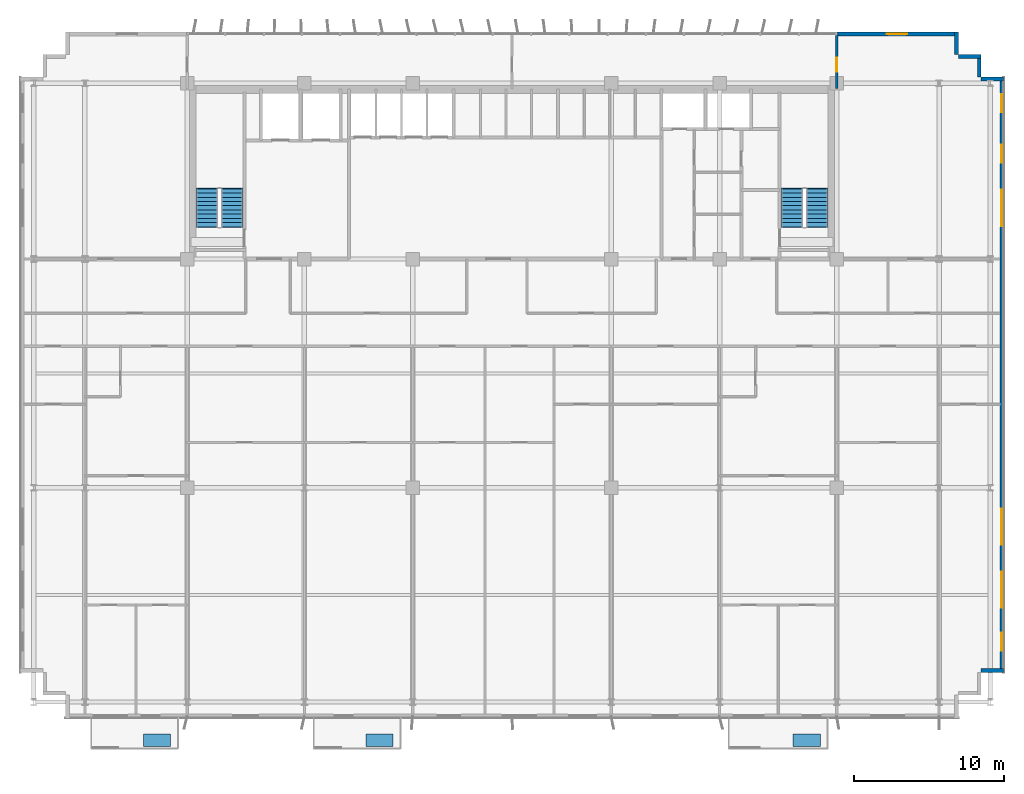
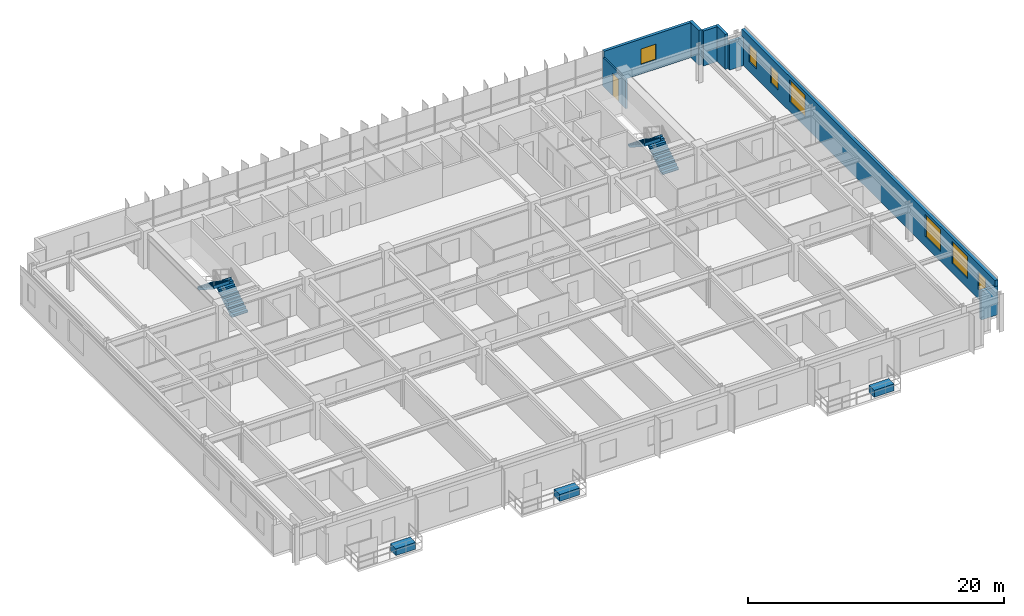
# One storey, part 19 of 22: 8 walls, 7 windows, 4 stair flights, 3 discrete accessories, 1 door, 8 openings, 2 elements without a shape of their own.
"""IFC4 building model written with IfcOpenShell, lengths in metres."""

from ifc_helpers import new_model, si_unit, direction, frame, frame_2d, origin, origin_2d, place, context, subcontext, project, spatial, polyline, rectangle, outline, extrude, source, transform, mapped, material, layer, layer_set, type_object, element, fill, aggregate, save


model = new_model("IFC4")

# Units and contexts
model_context = context("Model", 3, precision=1e-05, world=origin(), true_north=direction((0.0, 1.0)))
body_context = subcontext(model_context, "Body", "Model", "MODEL_VIEW")
ifc_project = project(units=[si_unit("LENGTHUNIT", "METRE"), si_unit("AREAUNIT", "SQUARE_METRE"), si_unit("VOLUMEUNIT", "CUBIC_METRE"), si_unit("PLANEANGLEUNIT", "RADIAN"), si_unit("MASSUNIT", "GRAM", prefix="KILO")], contexts=[model_context])

# Site, building, storey
site_placement = place(None, origin())
site = spatial("IfcSite", under=ifc_project, at=site_placement, CompositionType="ELEMENT")
building_placement = place(site_placement, origin())
building = spatial("IfcBuilding", under=site, at=building_placement, Name="Trelvane Seafront Commons", CompositionType="ELEMENT")
storey_placement = place(building_placement, frame((0.0, 0.0, 59.5)))
storey = spatial("IfcBuildingStorey", under=building, at=storey_placement, Name="L15", CompositionType="ELEMENT", Elevation=59.5)

# Wall, opening, window
ifc_material_1 = material(Name="Precast concrete C40/50", Category="concrete")
ifc_layer_1 = layer(ifc_material_1, 0.260009765625, Name="ARCH-WALL-EXT260")
ifc_layer_set_1 = layer_set([ifc_layer_1], Name="Precast concrete C40/50")
wall_type_1 = type_object("IfcWallType", Name="ARCH-WALL-EXT260", PredefinedType="SOLIDWALL", material=ifc_layer_set_1)
wall_1_placement = place(storey_placement, frame((58.800048828125, 48.3701171875, 0.0), z_axis=(0.0, 0.0, 1.0), x_axis=(1.0, 0.0, 0.0)))
wall_1 = element("IfcWall", 1, at=wall_1_placement, inside=storey, type_object=wall_type_1, Name="EW-L15-NE-0256", PredefinedType="SOLIDWALL", context=body_context, shape_type="SweptSolid", body=[
    extrude(rectangle(XDim=8.0, YDim=0.260009765625, at=frame_2d((4.0, 0.0))), origin(), (0.0, 0.0, 1.0), 3.340087890625),
])
opening_1_placement = place(wall_1_placement, frame((3.324951171875, 0.0, 0.89990234375)))
opening_1 = element("IfcOpeningElement", 2, at=opening_1_placement, cuts=wall_1, Name="Opening W09", PredefinedType="OPENING", context=body_context, shape_type="SweptSolid", body=[
    extrude(rectangle(XDim=1.35009765625, YDim=1.5, at=frame_2d((0.675048828125, 0.75))), frame((0.0, 0.139892578125, 0.0), z_axis=(0.0, -1.0, 0.0), x_axis=(1.0, 0.0, 0.0)), (0.0, 0.0, 1.0), 0.280029296875),
])
ifc_material_2 = material(Name="Low-E coastal double glazing", Category="glass")
window_type_1 = type_object("IfcWindowType", Name="ARCH-WIN-W09", PartitioningType="SINGLE_PANEL", PredefinedType="WINDOW", material=ifc_material_2)
shared_shape_1 = source(origin(), body_context, "Body", "SweptSolid", [
    extrude(rectangle(XDim=1.35009765625, YDim=1.5, at=frame_2d((0.675048828125, 0.75))), frame((0.0, 0.030029296875, 0.0), z_axis=(0.0, -1.0, 0.0), x_axis=(1.0, 0.0, 0.0)), (0.0, 0.0, 1.0), 0.06005859375),
])
window_1_placement = place(opening_1_placement, origin())
window_1 = element("IfcWindow", 3, at=window_1_placement, inside=storey, type_object=window_type_1, Name="WIN-L15-00311", OverallHeight=1.5, OverallWidth=1.35009765625, PartitioningType="SINGLE_PANEL", PredefinedType="WINDOW", context=body_context, shape_type="MappedRepresentation", body=[
    mapped(shared_shape_1, transform((0.0, 0.0, 0.0), x_axis=(1.0, 0.0, 0.0), y_axis=(0.0, 1.0, 0.0), z_axis=(0.0, 0.0, 1.0), scale=1.0)),
])
fill(opening_1, window_1)

# Walls
for number, where, z_axis, x_axis, name in (
    (4, (66.77001953125, 48.5, 0.0), (0.0, 0.0, 1.0), (0.0, -1.0, 0.0), "EW-L15-00265"),
    (5, (66.89990234375, 46.8701171875, 0.0), (0.0, 0.0, 1.0), (1.0, 0.0, 0.0), "EW-L15-00266"),
    (6, (68.27001953125, 47.0, 0.0), (0.0, 0.0, 1.0), (0.0, -1.0, 0.0), "EW-L15-00267"),
):
    element("IfcWall", number, at=place(storey_placement, frame(where, z_axis=z_axis, x_axis=x_axis)), inside=storey, type_object=wall_type_1, Name=name, PredefinedType="SOLIDWALL", context=body_context, shape_type="SweptSolid", body=[
        extrude(rectangle(XDim=1.5, YDim=0.260009765625, at=frame_2d((0.75, 0.0))), origin(), (0.0, 0.0, 1.0), 3.340087890625),
    ])
wall_2_placement = place(storey_placement, frame((68.39990234375, 45.3701171875, 0.0), z_axis=(0.0, 0.0, 1.0), x_axis=(1.0, 0.0, 0.0)))
element("IfcWall", 7, at=wall_2_placement, inside=storey, type_object=wall_type_1, Name="EW-L15-00268", PredefinedType="SOLIDWALL", context=body_context, shape_type="SweptSolid", body=[
    extrude(rectangle(XDim=1.5, YDim=0.260009765625, at=frame_2d((0.75, 0.0))), origin(), (0.0, 0.0, 1.0), 2.68994140625),
])

# Wall, openings, windows
wall_3_placement = place(storey_placement, frame((69.77001953125, 45.5, 0.0), z_axis=(0.0, 0.0, 1.0), x_axis=(0.0, -1.0, 0.0)))
wall_3 = element("IfcWall", 8, at=wall_3_placement, inside=storey, type_object=wall_type_1, Name="EW-L15-00269", PredefinedType="SOLIDWALL", context=body_context, shape_type="SweptSolid", body=[
    extrude(rectangle(XDim=39.60009765625, YDim=0.260009765625, at=frame_2d((19.800048828125, 0.0))), origin(), (0.0, 0.0, 1.0), 3.340087890625),
])
opening_2_placement = place(wall_3_placement, frame((36.949951171875, 0.0, 0.919921875)))
opening_2 = element("IfcOpeningElement", 9, at=opening_2_placement, cuts=wall_3, Name="Opening W05", PredefinedType="OPENING", context=body_context, shape_type="SweptSolid", body=[
    extrude(rectangle(XDim=1.199951171875, YDim=1.64990234375, at=frame_2d((0.60009765625, 0.824951171875))), frame((0.0, 0.139892578125, 0.0), z_axis=(0.0, -1.0, 0.0), x_axis=(1.0, 0.0, 0.0)), (0.0, 0.0, 1.0), 0.280029296875),
])
opening_3_placement = place(wall_3_placement, frame((32.89990234375, 0.0, 0.919921875)))
opening_3 = element("IfcOpeningElement", 10, at=opening_3_placement, cuts=wall_3, Name="Opening W08", PredefinedType="OPENING", context=body_context, shape_type="SweptSolid", body=[
    extrude(rectangle(XDim=2.39990234375, YDim=2.10009765625, at=frame_2d((1.199951171875, 1.050048828125))), frame((0.0, 0.139892578125, 0.0), z_axis=(0.0, -1.0, 0.0), x_axis=(1.0, 0.0, 0.0)), (0.0, 0.0, 1.0), 0.280029296875),
])
opening_4_placement = place(wall_3_placement, frame((28.699951171875, 0.0, 0.919921875)))
opening_4 = element("IfcOpeningElement", 11, at=opening_4_placement, cuts=wall_3, Name="Opening W08", PredefinedType="OPENING", context=body_context, shape_type="SweptSolid", body=[
    extrude(rectangle(XDim=2.39990234375, YDim=2.10009765625, at=frame_2d((1.199951171875, 1.050048828125))), frame((0.0, 0.139892578125, 0.0), z_axis=(0.0, -1.0, 0.0), x_axis=(1.0, 0.0, 0.0)), (0.0, 0.0, 1.0), 0.280029296875),
])
opening_5_placement = place(wall_3_placement, frame((7.5, 0.0, 0.919921875)))
opening_5 = element("IfcOpeningElement", 12, at=opening_5_placement, cuts=wall_3, Name="Opening W08", PredefinedType="OPENING", context=body_context, shape_type="SweptSolid", body=[
    extrude(rectangle(XDim=2.39990234375, YDim=2.10009765625, at=frame_2d((1.199951171875, 1.050048828125))), frame((0.0, 0.139892578125, 0.0), z_axis=(0.0, -1.0, 0.0), x_axis=(1.0, 0.0, 0.0)), (0.0, 0.0, 1.0), 0.280029296875),
])
opening_6_placement = place(wall_3_placement, frame((4.5, 0.0, 0.919921875)))
opening_6 = element("IfcOpeningElement", 13, at=opening_6_placement, cuts=wall_3, Name="Opening W05", PredefinedType="OPENING", context=body_context, shape_type="SweptSolid", body=[
    extrude(rectangle(XDim=1.199951171875, YDim=1.64990234375, at=frame_2d((0.60009765625, 0.824951171875))), frame((0.0, 0.139892578125, 0.0), z_axis=(0.0, -1.0, 0.0), x_axis=(1.0, 0.0, 0.0)), (0.0, 0.0, 1.0), 0.280029296875),
])
opening_7_placement = place(wall_3_placement, frame((1.14990234375, 0.0, 0.919921875)))
opening_7 = element("IfcOpeningElement", 14, at=opening_7_placement, cuts=wall_3, Name="Opening W05", PredefinedType="OPENING", context=body_context, shape_type="SweptSolid", body=[
    extrude(rectangle(XDim=1.199951171875, YDim=1.64990234375, at=frame_2d((0.60009765625, 0.824951171875))), frame((0.0, 0.139892578125, 0.0), z_axis=(0.0, -1.0, 0.0), x_axis=(1.0, 0.0, 0.0)), (0.0, 0.0, 1.0), 0.280029296875),
])
window_type_2 = type_object("IfcWindowType", Name="ARCH-WIN-W08", PartitioningType="SINGLE_PANEL", PredefinedType="WINDOW", material=ifc_material_2)
shared_shape_2 = source(origin(), body_context, "Body", "SweptSolid", [
    extrude(rectangle(XDim=2.39990234375, YDim=2.10009765625, at=frame_2d((1.199951171875, 1.050048828125))), frame((0.0, 0.030029296875, 0.0), z_axis=(0.0, -1.0, 0.0), x_axis=(1.0, 0.0, 0.0)), (0.0, 0.0, 1.0), 0.06005859375),
])
window_2_placement = place(opening_3_placement, origin())
window_2 = element("IfcWindow", 15, at=window_2_placement, inside=storey, type_object=window_type_2, Name="WIN-L15-EW-00319", OverallHeight=2.10009765625, OverallWidth=2.39990234375, PartitioningType="SINGLE_PANEL", PredefinedType="WINDOW", context=body_context, shape_type="MappedRepresentation", body=[
    mapped(shared_shape_2, transform((0.0, 0.0, 0.0), x_axis=(1.0, 0.0, 0.0), y_axis=(0.0, 1.0, 0.0), z_axis=(0.0, 0.0, 1.0), scale=1.0)),
])
fill(opening_3, window_2)
window_3_placement = place(opening_4_placement, origin())
window_3 = element("IfcWindow", 16, at=window_3_placement, inside=storey, type_object=window_type_2, Name="WIN-L15-EW-00320", OverallHeight=2.10009765625, OverallWidth=2.39990234375, PartitioningType="SINGLE_PANEL", PredefinedType="WINDOW", context=body_context, shape_type="MappedRepresentation", body=[
    mapped(shared_shape_2, transform((0.0, 0.0, 0.0), x_axis=(1.0, 0.0, 0.0), y_axis=(0.0, 1.0, 0.0), z_axis=(0.0, 0.0, 1.0), scale=1.0)),
])
fill(opening_4, window_3)
window_4_placement = place(opening_5_placement, origin())
window_4 = element("IfcWindow", 17, at=window_4_placement, inside=storey, type_object=window_type_2, Name="WIN-L15-EW-00321", OverallHeight=2.10009765625, OverallWidth=2.39990234375, PartitioningType="SINGLE_PANEL", PredefinedType="WINDOW", context=body_context, shape_type="MappedRepresentation", body=[
    mapped(shared_shape_2, transform((0.0, 0.0, 0.0), x_axis=(1.0, 0.0, 0.0), y_axis=(0.0, 1.0, 0.0), z_axis=(0.0, 0.0, 1.0), scale=1.0)),
])
fill(opening_5, window_4)
window_type_3 = type_object("IfcWindowType", Name="ARCH-WIN-W05", PartitioningType="SINGLE_PANEL", PredefinedType="WINDOW", material=ifc_material_2)
shared_shape_3 = source(origin(), body_context, "Body", "SweptSolid", [
    extrude(rectangle(XDim=1.199951171875, YDim=1.64990234375, at=frame_2d((0.60009765625, 0.824951171875))), frame((0.0, 0.030029296875, 0.0), z_axis=(0.0, -1.0, 0.0), x_axis=(1.0, 0.0, 0.0)), (0.0, 0.0, 1.0), 0.06005859375),
])
window_5_placement = place(opening_2_placement, origin())
window_5 = element("IfcWindow", 18, at=window_5_placement, inside=storey, type_object=window_type_3, Name="WIN-L15-EW-00318", OverallHeight=1.64990234375, OverallWidth=1.199951171875, PartitioningType="SINGLE_PANEL", PredefinedType="WINDOW", context=body_context, shape_type="MappedRepresentation", body=[
    mapped(shared_shape_3, transform((0.0, 0.0, 0.0), x_axis=(1.0, 0.0, 0.0), y_axis=(0.0, 1.0, 0.0), z_axis=(0.0, 0.0, 1.0), scale=1.0)),
])
fill(opening_2, window_5)
window_6_placement = place(opening_6_placement, origin())
window_6 = element("IfcWindow", 19, at=window_6_placement, inside=storey, type_object=window_type_3, Name="WIN-L15-EW-00322", OverallHeight=1.64990234375, OverallWidth=1.199951171875, PartitioningType="SINGLE_PANEL", PredefinedType="WINDOW", context=body_context, shape_type="MappedRepresentation", body=[
    mapped(shared_shape_3, transform((0.0, 0.0, 0.0), x_axis=(1.0, 0.0, 0.0), y_axis=(0.0, 1.0, 0.0), z_axis=(0.0, 0.0, 1.0), scale=1.0)),
])
fill(opening_6, window_6)
window_7_placement = place(opening_7_placement, origin())
window_7 = element("IfcWindow", 20, at=window_7_placement, inside=storey, type_object=window_type_3, Name="WIN-L15-EW-00323", OverallHeight=1.64990234375, OverallWidth=1.199951171875, PartitioningType="SINGLE_PANEL", PredefinedType="WINDOW", context=body_context, shape_type="MappedRepresentation", body=[
    mapped(shared_shape_3, transform((0.0, 0.0, 0.0), x_axis=(1.0, 0.0, 0.0), y_axis=(0.0, 1.0, 0.0), z_axis=(0.0, 0.0, 1.0), scale=1.0)),
])
fill(opening_7, window_7)

# Wall
wall_4_placement = place(storey_placement, frame((69.89990234375, 6.030029296875, 0.0), z_axis=(0.0, 0.0, 1.0), x_axis=(-1.0, 0.0, 0.0)))
element("IfcWall", 21, at=wall_4_placement, inside=storey, type_object=wall_type_1, Name="EW-L15-00270", PredefinedType="SOLIDWALL", context=body_context, shape_type="SweptSolid", body=[
    extrude(rectangle(XDim=1.5, YDim=0.260009765625, at=frame_2d((0.75, 0.0))), origin(), (0.0, 0.0, 1.0), 2.751953125),
])

# Wall, opening, door
ifc_material_3 = material(Name="Gypsum Drywall Acoustic Partition")
ifc_layer_2 = layer(ifc_material_3, 0.14990234375, Name="ARCH-WALL-PART150")
ifc_layer_set_2 = layer_set([ifc_layer_2], Name="Gypsum Drywall Acoustic Partition")
wall_type_2 = type_object("IfcWallType", Name="ARCH-WALL-PART150", PredefinedType="PARTITIONING", material=ifc_layer_set_2)
wall_5_placement = place(storey_placement, frame((58.800048828125, 44.75, 0.0), z_axis=(0.0, 0.0, 1.0), x_axis=(0.0, 1.0, 0.0)))
wall_5 = element("IfcWall", 22, at=wall_5_placement, inside=storey, type_object=wall_type_2, Name="W-L15-N-LINK-E-054", PredefinedType="PARTITIONING", context=body_context, shape_type="SweptSolid", body=[
    extrude(rectangle(XDim=3.610107421875, YDim=0.14990234375, at=frame_2d((1.80517578125, 0.0))), origin(), (0.0, 0.0, 1.0), 2.751953125),
])
opening_8_placement = place(wall_5_placement, frame((1.10009765625, 0.0, 0.0)))
opening_8 = element("IfcOpeningElement", 23, at=opening_8_placement, cuts=wall_5, Name="Opening FD-L15-28", PredefinedType="OPENING", context=body_context, shape_type="SweptSolid", body=[
    extrude(rectangle(XDim=0.949951171875, YDim=2.14990234375, at=frame_2d((0.47509765625, 1.074951171875))), frame((0.0, 0.0849609375, 0.0), z_axis=(0.0, -1.0, 0.0), x_axis=(1.0, 0.0, 0.0)), (0.0, 0.0, 1.0), 0.169921875),
])
ifc_material_4 = material(Name="Powder-coated aluminium frame", Category="aluminium")
door_type = type_object("IfcDoorType", Name="ARCH-DR-FD60-950", OperationType="NOTDEFINED", PredefinedType="DOOR", material=ifc_material_4)
shared_shape_4 = source(origin(), body_context, "Body", "SweptSolid", [
    extrude(rectangle(XDim=0.949951171875, YDim=2.14990234375, at=frame_2d((0.47509765625, 1.074951171875))), frame((0.0, 0.02490234375, 0.0), z_axis=(0.0, -1.0, 0.0), x_axis=(1.0, 0.0, 0.0)), (0.0, 0.0, 1.0), 0.050048828125),
])
door_placement = place(opening_8_placement, origin())
door = element("IfcDoor", 24, at=door_placement, inside=storey, type_object=door_type, Name="L15 Door 28", OperationType="SINGLE_SWING_RIGHT", OverallHeight=2.14990234375, OverallWidth=0.949951171875, PredefinedType="DOOR", context=body_context, shape_type="MappedRepresentation", body=[
    mapped(shared_shape_4, transform((0.0, 0.0, 0.0), x_axis=(1.0, 0.0, 0.0), y_axis=(0.0, 1.0, 0.0), z_axis=(0.0, 0.0, 1.0), scale=1.0)),
])
fill(opening_8, door)

# Stair, stair flights
ifc_material_5 = material(Name="Concrete C40/50", Category="concrete")
stair_type_1 = type_object("IfcStairType", Name="ARCH-STR-ST-1-R20-180", PredefinedType="HALF_TURN_STAIR", material=ifc_material_5)
stair_1_placement = place(storey_placement, origin())
stair_1 = element("IfcStair", 25, at=stair_1_placement, inside=storey, type_object=stair_type_1, Name="L15 West Protected Firefighting Exit Stair ST-1", PredefinedType="HALF_TURN_STAIR")
stair_flight_type_1 = type_object("IfcStairFlightType", Name="ARCH-FLG-ST-1-R20-180", PredefinedType="STRAIGHT", material=ifc_material_5)
shared_shape_5 = source(origin(), body_context, "Body", "SweptSolid", [
    extrude(outline(polyline([(-0.050048828125, -0.02001953125), (-0.050048828125, 0.0), (0.0, 0.0), (0.0, 0.179931640625), (0.280029296875, 0.179931640625), (0.280029296875, 0.360107421875), (0.56005859375, 0.360107421875), (0.56005859375, 0.5400390625), (0.840087890625, 0.5400390625), (0.840087890625, 0.719970703125), (1.1201171875, 0.719970703125), (1.1201171875, 0.89990234375), (1.39990234375, 0.89990234375), (1.39990234375, 1.080078125), (1.679931640625, 1.080078125), (1.679931640625, 1.260009765625), (1.9599609375, 1.260009765625), (1.9599609375, 1.43994140625), (2.239990234375, 1.43994140625), (2.239990234375, 1.6201171875), (2.52001953125, 1.6201171875), (2.52001953125, 1.800048828125), (2.570068359375, 1.800048828125), (2.570068359375, 1.650146484375), (2.52001953125, 1.44189453125), (0.277099609375, -0.02001953125), (-0.050048828125, -0.02001953125)])), frame((0.0, 0.72509765625, 0.0), z_axis=(0.0, -1.0, 0.0), x_axis=(1.0, 0.0, 0.0)), (0.0, 0.0, 1.0), 1.449951171875),
])
stair_flight_1_placement = place(storey_placement, frame((18.574951171875, 35.550048828125, 0.0), z_axis=(0.0, 0.0, 1.0), x_axis=(0.0, 1.0, 0.0)))
stair_flight_1 = element("IfcStairFlight", 26, at=stair_flight_1_placement, type_object=stair_flight_type_1, Name="ST-1 flight 1", NumberOfRisers=10, NumberOfTreads=9, PredefinedType="STRAIGHT", RiserHeight=0.18, TreadLength=0.28, context=body_context, shape_type="MappedRepresentation", body=[
    mapped(shared_shape_5, transform((0.0, 0.0, 0.0), x_axis=(1.0, 0.0, 0.0), y_axis=(0.0, 1.0, 0.0), z_axis=(0.0, 0.0, 1.0), scale=1.0)),
])
stair_flight_2_placement = place(storey_placement, frame((16.925048828125, 38.070068359375, 1.800048828125), z_axis=(0.0, 0.0, 1.0), x_axis=(0.0, -1.0, 0.0)))
stair_flight_2 = element("IfcStairFlight", 27, at=stair_flight_2_placement, type_object=stair_flight_type_1, Name="ST-1 flight 2", NumberOfRisers=10, NumberOfTreads=9, PredefinedType="STRAIGHT", RiserHeight=0.18, TreadLength=0.28, context=body_context, shape_type="MappedRepresentation", body=[
    mapped(shared_shape_5, transform((0.0, 0.0, 0.0), x_axis=(1.0, 0.0, 0.0), y_axis=(0.0, 1.0, 0.0), z_axis=(0.0, 0.0, 1.0), scale=1.0)),
])
aggregate(stair_1, [stair_flight_1, stair_flight_2])

stair_type_2 = type_object("IfcStairType", Name="ARCH-STR-ST-2-R20-180", PredefinedType="HALF_TURN_STAIR", material=ifc_material_5)
stair_2_placement = place(storey_placement, origin())
stair_2 = element("IfcStair", 28, at=stair_2_placement, inside=storey, type_object=stair_type_2, Name="L15 East Protected Firefighting Exit Stair ST-2", PredefinedType="HALF_TURN_STAIR")
stair_flight_type_2 = type_object("IfcStairFlightType", Name="ARCH-FLG-ST-2-R20-180", PredefinedType="STRAIGHT", material=ifc_material_5)
stair_flight_3_placement = place(storey_placement, frame((57.47509765625, 35.550048828125, 0.0), z_axis=(0.0, 0.0, 1.0), x_axis=(0.0, 1.0, 0.0)))
stair_flight_3 = element("IfcStairFlight", 29, at=stair_flight_3_placement, type_object=stair_flight_type_2, Name="ST-2 flight 1", NumberOfRisers=10, NumberOfTreads=9, PredefinedType="STRAIGHT", RiserHeight=0.18, TreadLength=0.28, context=body_context, shape_type="MappedRepresentation", body=[
    mapped(shared_shape_5, transform((0.0, 0.0, 0.0), x_axis=(1.0, 0.0, 0.0), y_axis=(0.0, 1.0, 0.0), z_axis=(0.0, 0.0, 1.0), scale=1.0)),
])
stair_flight_4_placement = place(storey_placement, frame((55.824951171875, 38.070068359375, 1.800048828125), z_axis=(0.0, 0.0, 1.0), x_axis=(0.0, -1.0, 0.0)))
stair_flight_4 = element("IfcStairFlight", 30, at=stair_flight_4_placement, type_object=stair_flight_type_2, Name="ST-2 flight 2", NumberOfRisers=10, NumberOfTreads=9, PredefinedType="STRAIGHT", RiserHeight=0.18, TreadLength=0.28, context=body_context, shape_type="MappedRepresentation", body=[
    mapped(shared_shape_5, transform((0.0, 0.0, 0.0), x_axis=(1.0, 0.0, 0.0), y_axis=(0.0, 1.0, 0.0), z_axis=(0.0, 0.0, 1.0), scale=1.0)),
])
aggregate(stair_2, [stair_flight_3, stair_flight_4])

# Discrete accessories
discrete_accessory_type = type_object("IfcDiscreteAccessoryType", Name="ARCH-ACC-PLANTER", PredefinedType="USERDEFINED", material=ifc_material_1)
shared_shape_6 = source(origin(), body_context, "Body", "SweptSolid", [
    extrude(rectangle(XDim=1.800048828125, YDim=0.85009765625, at=origin_2d()), origin(), (0.0, 0.0, 1.0), 0.64990234375),
])
for number, where, z_axis, x_axis, name in (
    (31, (13.60009765625, 1.39990234375, 0.0), (0.0, 0.0, 1.0), (1.0, 0.0, 0.0), "PLN-L15-B0-018"),
    (32, (28.39990234375, 1.39990234375, 0.0), (0.0, 0.0, 1.0), (1.0, 0.0, 0.0), "PLN-L15-B1-019"),
    (33, (56.800048828125, 1.39990234375, 0.0), (0.0, 0.0, 1.0), (1.0, 0.0, 0.0), "PLN-L15-B2-020"),
):
    element("IfcDiscreteAccessory", number, at=place(storey_placement, frame(where, z_axis=z_axis, x_axis=x_axis)), inside=storey, type_object=discrete_accessory_type, Name=name, ObjectType="BALCONY TREE PLANTER", PredefinedType="USERDEFINED", context=body_context, shape_type="MappedRepresentation", body=[
        mapped(shared_shape_6, transform((0.0, 0.0, 0.0), x_axis=(1.0, 0.0, 0.0), y_axis=(0.0, 1.0, 0.0), z_axis=(0.0, 0.0, 1.0), scale=1.0)),
    ])

save(model, "model.ifc")
